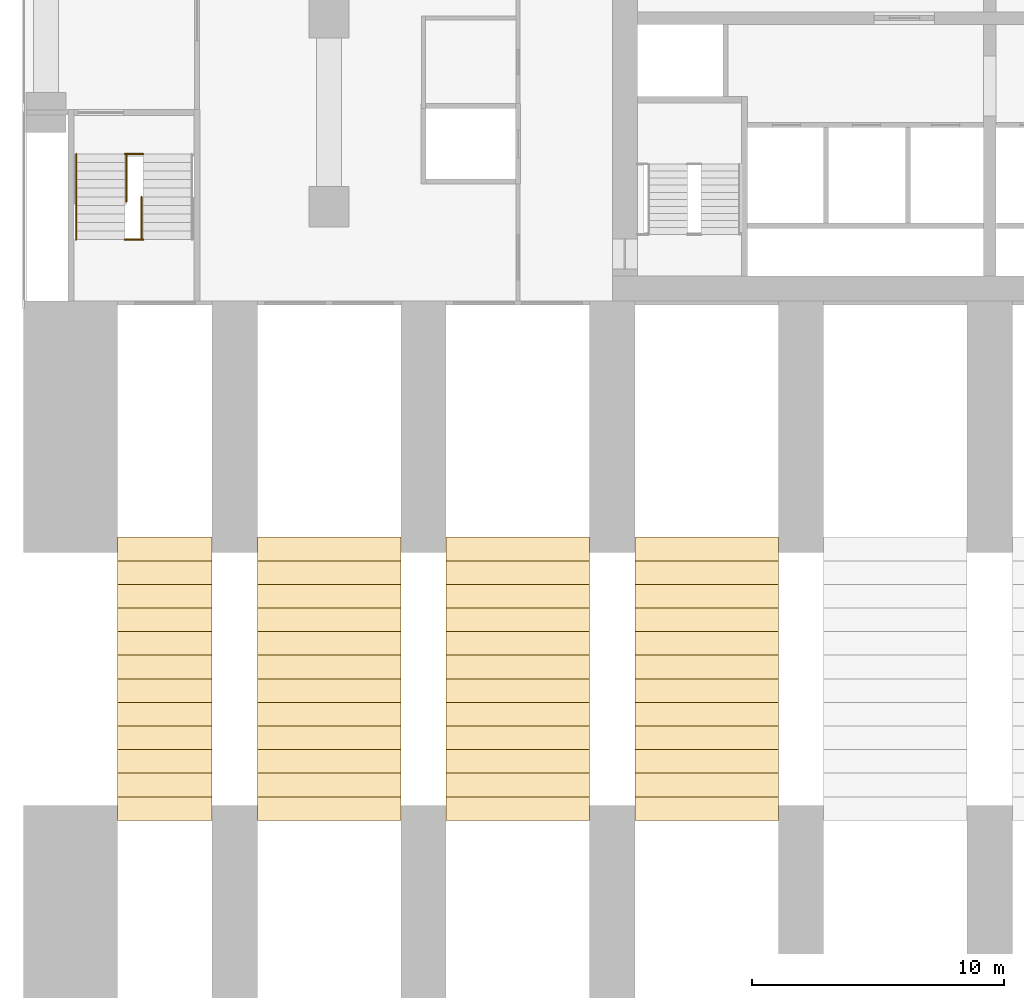
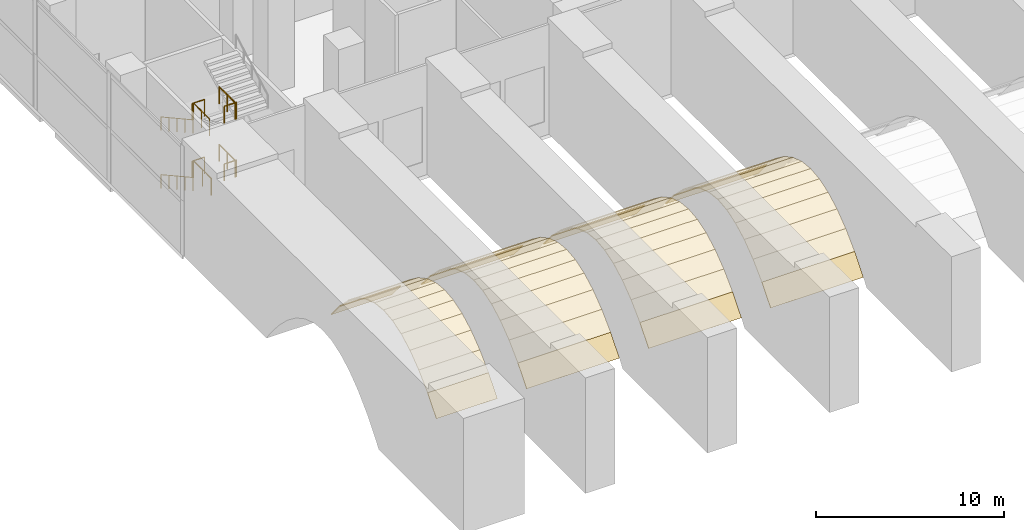
# One storey, part 11 of 15: 48 coverings, 10 railings.
"""IFC4 building model written with IfcOpenShell, lengths in metres."""

from ifc_helpers import new_model, si_unit, direction, frame, origin, origin_2d, place, context, subcontext, project, spatial, polyline, circle, outline, extrude, material, layer, layer_set, type_object, element, save


model = new_model("IFC4")

# Units and contexts
model_context = context("Model", 3, precision=1e-05, world=origin(), true_north=direction((0.0, 1.0)))
body_context = subcontext(model_context, "Body", "Model", "MODEL_VIEW")
ifc_project = project(units=[si_unit("LENGTHUNIT", "METRE"), si_unit("AREAUNIT", "SQUARE_METRE"), si_unit("VOLUMEUNIT", "CUBIC_METRE"), si_unit("PLANEANGLEUNIT", "RADIAN"), si_unit("MASSUNIT", "GRAM", prefix="KILO")], contexts=[model_context])

# Site, building, storey
site_placement = place(None, origin())
site = spatial("IfcSite", under=ifc_project, at=site_placement, CompositionType="ELEMENT")
building_placement = place(site_placement, origin())
building = spatial("IfcBuilding", under=site, at=building_placement, Name="Pilkhan Gate Tower", CompositionType="ELEMENT")
storey_placement = place(building_placement, frame((0.0, 0.0, 16.5)))
storey = spatial("IfcBuildingStorey", under=building, at=storey_placement, Name="L02", CompositionType="ELEMENT", Elevation=16.5)

# Coverings
ifc_material_1 = material(Name="Concrete C40/50 precast", Category="concrete")
ifc_layer = layer(ifc_material_1, 0.06005859375)
ifc_layer_set = layer_set([ifc_layer], Name="Arch soffit panel ARC")
covering_type = type_object("IfcCoveringType", Name="Arch soffit panel ARC", PredefinedType="CLADDING", material=ifc_layer_set)
covering_1_placement = place(storey_placement, frame((40.35009765625, 50.625, 0.487548828125), z_axis=(0.0, -0.766573876706, 0.642156127084), x_axis=(1.0, 0.0, 0.0)))
element("IfcCovering", 1, at=covering_1_placement, inside=storey, type_object=covering_type, Name="Arch soffit panel ARC-1.7", PredefinedType="CLADDING", context=body_context, shape_type="SweptSolid", body=[
    extrude(outline(polyline([(0.0, 0.0), (3.75, 0.0), (3.75, 1.4599253366269767), (0.0, 1.4599253366269767), (0.0, 0.0)])), origin(), (0.0, 0.0, -1.0), 0.06005859375),
])
covering_2_placement = place(storey_placement, frame((40.35009765625, 51.5625, 1.606689453125), z_axis=(0.0, -0.698672998985, 0.715441150961), x_axis=(1.0, 0.0, 0.0)))
element("IfcCovering", 2, at=covering_2_placement, inside=storey, type_object=covering_type, Name="Arch soffit panel ARC-1.8", PredefinedType="CLADDING", context=body_context, shape_type="SweptSolid", body=[
    extrude(outline(polyline([(0.0, 0.0), (3.75, 0.0), (3.75, 1.3103803139371144), (0.0, 1.3103803139371144), (0.0, 0.0)])), origin(), (0.0, 0.0, -1.0), 0.06005859375),
])
covering_3_placement = place(storey_placement, frame((40.35009765625, 52.5, 2.522216796875), z_axis=(0.0, -0.604899225984, 0.796302032149), x_axis=(1.0, 0.0, 0.0)))
element("IfcCovering", 3, at=covering_3_placement, inside=storey, type_object=covering_type, Name="Arch soffit panel ARC-1.9", PredefinedType="CLADDING", context=body_context, shape_type="SweptSolid", body=[
    extrude(outline(polyline([(0.0, 0.0), (3.75, 0.0), (3.75, 1.1773171009877623), (0.0, 1.1773171009877623), (0.0, 0.0)])), origin(), (0.0, 0.0, -1.0), 0.06005859375),
])
covering_4_placement = place(storey_placement, frame((40.35009765625, 53.4375, 3.234375), z_axis=(0.0, -0.476990839795, 0.878908265265), x_axis=(1.0, 0.0, 0.0)))
element("IfcCovering", 4, at=covering_4_placement, inside=storey, type_object=covering_type, Name="Arch soffit panel ARC-1.10", PredefinedType="CLADDING", context=body_context, shape_type="SweptSolid", body=[
    extrude(outline(polyline([(0.0, 0.0), (3.75, 0.0), (3.75, 1.0666642208866055), (0.0, 1.0666642208866055), (0.0, 0.0)])), origin(), (0.0, 0.0, -1.0), 0.06005859375),
])
covering_5_placement = place(storey_placement, frame((40.35009765625, 54.375, 3.7431640625), z_axis=(0.0, -0.309533978689, 0.950888382533), x_axis=(1.0, 0.0, 0.0)))
element("IfcCovering", 5, at=covering_5_placement, inside=storey, type_object=covering_type, Name="Arch soffit panel ARC-1.11", PredefinedType="CLADDING", context=body_context, shape_type="SweptSolid", body=[
    extrude(outline(polyline([(0.0, 0.0), (3.75, 0.0), (3.75, 0.9859201323948852), (0.0, 0.9859201323948852), (0.0, 0.0)])), origin(), (0.0, 0.0, -1.0), 0.06005859375),
])
for number, where, z_axis, x_axis, name in (
    (6, (40.35009765625, 55.3125, 4.04833984375), (0.0, -0.107703168683, 0.994183095539), (1.0, 0.0, 0.0), "Arch soffit panel ARC-1.12"),
    (7, (40.35009765625, 56.25, 4.14990234375), (0.0, 0.107703168683, 0.994183095539), (1.0, 0.0, 0.0), "Arch soffit panel ARC-1.13"),
):
    element("IfcCovering", number, at=place(storey_placement, frame(where, z_axis=z_axis, x_axis=x_axis)), inside=storey, type_object=covering_type, Name=name, PredefinedType="CLADDING", context=body_context, shape_type="SweptSolid", body=[
        extrude(outline(polyline([(0.0, 0.0), (3.75, 0.0), (3.75, 0.9429852551372423), (0.0, 0.9429852551372423), (0.0, 0.0)])), origin(), (0.0, 0.0, -1.0), 0.06005859375),
    ])
covering_6_placement = place(storey_placement, frame((40.35009765625, 57.1875, 4.04833984375), z_axis=(0.0, 0.309533978689, 0.950888382533), x_axis=(1.0, 0.0, 0.0)))
element("IfcCovering", 8, at=covering_6_placement, inside=storey, type_object=covering_type, Name="Arch soffit panel ARC-1.14", PredefinedType="CLADDING", context=body_context, shape_type="SweptSolid", body=[
    extrude(outline(polyline([(0.0, 0.0), (3.75, 0.0), (3.75, 0.9859201323948852), (0.0, 0.9859201323948852), (0.0, 0.0)])), origin(), (0.0, 0.0, -1.0), 0.06005859375),
])
covering_7_placement = place(storey_placement, frame((40.35009765625, 58.125, 3.7431640625), z_axis=(0.0, 0.476990839795, 0.878908265265), x_axis=(1.0, 0.0, 0.0)))
element("IfcCovering", 9, at=covering_7_placement, inside=storey, type_object=covering_type, Name="Arch soffit panel ARC-1.15", PredefinedType="CLADDING", context=body_context, shape_type="SweptSolid", body=[
    extrude(outline(polyline([(0.0, 0.0), (3.75, 0.0), (3.75, 1.0666642208866055), (0.0, 1.0666642208866055), (0.0, 0.0)])), origin(), (0.0, 0.0, -1.0), 0.06005859375),
])
covering_8_placement = place(storey_placement, frame((40.35009765625, 59.0625, 3.234375), z_axis=(0.0, 0.604899225984, 0.796302032149), x_axis=(1.0, 0.0, 0.0)))
element("IfcCovering", 10, at=covering_8_placement, inside=storey, type_object=covering_type, Name="Arch soffit panel ARC-1.16", PredefinedType="CLADDING", context=body_context, shape_type="SweptSolid", body=[
    extrude(outline(polyline([(0.0, 0.0), (3.75, 0.0), (3.75, 1.1773171009877623), (0.0, 1.1773171009877623), (0.0, 0.0)])), origin(), (0.0, 0.0, -1.0), 0.06005859375),
])
covering_9_placement = place(storey_placement, frame((40.35009765625, 60.0, 2.522216796875), z_axis=(0.0, 0.698672998985, 0.715441150961), x_axis=(1.0, 0.0, 0.0)))
element("IfcCovering", 11, at=covering_9_placement, inside=storey, type_object=covering_type, Name="Arch soffit panel ARC-1.17", PredefinedType="CLADDING", context=body_context, shape_type="SweptSolid", body=[
    extrude(outline(polyline([(0.0, 0.0), (3.75, 0.0), (3.75, 1.3103803139371144), (0.0, 1.3103803139371144), (0.0, 0.0)])), origin(), (0.0, 0.0, -1.0), 0.06005859375),
])
covering_10_placement = place(storey_placement, frame((40.35009765625, 60.9375, 1.606689453125), z_axis=(0.0, 0.766573876706, 0.642156127084), x_axis=(1.0, 0.0, 0.0)))
element("IfcCovering", 12, at=covering_10_placement, inside=storey, type_object=covering_type, Name="Arch soffit panel ARC-1.18", PredefinedType="CLADDING", context=body_context, shape_type="SweptSolid", body=[
    extrude(outline(polyline([(0.0, 0.0), (3.75, 0.0), (3.75, 1.4599253366269767), (0.0, 1.4599253366269767), (0.0, 0.0)])), origin(), (0.0, 0.0, -1.0), 0.06005859375),
])
covering_11_placement = place(storey_placement, frame((45.89990234375, 50.625, 0.487548828125), z_axis=(0.0, -0.766573876706, 0.642156127084), x_axis=(1.0, 0.0, 0.0)))
element("IfcCovering", 13, at=covering_11_placement, inside=storey, type_object=covering_type, Name="Arch soffit panel ARC-2.7", PredefinedType="CLADDING", context=body_context, shape_type="SweptSolid", body=[
    extrude(outline(polyline([(0.0, 0.0), (5.7001953125, 0.0), (5.7001953125, 1.4599253366269764), (0.0, 1.4599253366269764), (0.0, 0.0)])), origin(), (0.0, 0.0, -1.0), 0.06005859375),
])
covering_12_placement = place(storey_placement, frame((45.89990234375, 51.5625, 1.606689453125), z_axis=(0.0, -0.698672998985, 0.715441150961), x_axis=(1.0, 0.0, 0.0)))
element("IfcCovering", 14, at=covering_12_placement, inside=storey, type_object=covering_type, Name="Arch soffit panel ARC-2.8", PredefinedType="CLADDING", context=body_context, shape_type="SweptSolid", body=[
    extrude(outline(polyline([(0.0, 0.0), (5.7001953125, 0.0), (5.7001953125, 1.3103803139371146), (0.0, 1.3103803139371146), (0.0, 0.0)])), origin(), (0.0, 0.0, -1.0), 0.06005859375),
])
covering_13_placement = place(storey_placement, frame((45.89990234375, 52.5, 2.522216796875), z_axis=(0.0, -0.604899225984, 0.796302032149), x_axis=(1.0, 0.0, 0.0)))
element("IfcCovering", 15, at=covering_13_placement, inside=storey, type_object=covering_type, Name="Arch soffit panel ARC-2.9", PredefinedType="CLADDING", context=body_context, shape_type="SweptSolid", body=[
    extrude(outline(polyline([(0.0, 0.0), (5.7001953125, 0.0), (5.7001953125, 1.1773171009877623), (0.0, 1.1773171009877623), (0.0, 0.0)])), origin(), (0.0, 0.0, -1.0), 0.06005859375),
])
covering_14_placement = place(storey_placement, frame((45.89990234375, 53.4375, 3.234375), z_axis=(0.0, -0.476990839795, 0.878908265265), x_axis=(1.0, 0.0, 0.0)))
element("IfcCovering", 16, at=covering_14_placement, inside=storey, type_object=covering_type, Name="Arch soffit panel ARC-2.10", PredefinedType="CLADDING", context=body_context, shape_type="SweptSolid", body=[
    extrude(outline(polyline([(0.0, 0.0), (5.7001953125, 0.0), (5.7001953125, 1.0666642208866055), (0.0, 1.0666642208866055), (0.0, 0.0)])), origin(), (0.0, 0.0, -1.0), 0.06005859375),
])
covering_15_placement = place(storey_placement, frame((45.89990234375, 54.375, 3.7431640625), z_axis=(0.0, -0.309533978689, 0.950888382533), x_axis=(1.0, 0.0, 0.0)))
element("IfcCovering", 17, at=covering_15_placement, inside=storey, type_object=covering_type, Name="Arch soffit panel ARC-2.11", PredefinedType="CLADDING", context=body_context, shape_type="SweptSolid", body=[
    extrude(outline(polyline([(0.0, 0.0), (5.7001953125, 0.0), (5.7001953125, 0.9859201323948852), (0.0, 0.9859201323948852), (0.0, 0.0)])), origin(), (0.0, 0.0, -1.0), 0.06005859375),
])
for number, where, z_axis, x_axis, name in (
    (18, (45.89990234375, 55.3125, 4.04833984375), (0.0, -0.107703168683, 0.994183095539), (1.0, 0.0, 0.0), "Arch soffit panel ARC-2.12"),
    (19, (45.89990234375, 56.25, 4.14990234375), (0.0, 0.107703168683, 0.994183095539), (1.0, 0.0, 0.0), "Arch soffit panel ARC-2.13"),
):
    element("IfcCovering", number, at=place(storey_placement, frame(where, z_axis=z_axis, x_axis=x_axis)), inside=storey, type_object=covering_type, Name=name, PredefinedType="CLADDING", context=body_context, shape_type="SweptSolid", body=[
        extrude(outline(polyline([(0.0, 0.0), (5.7001953125, 0.0), (5.7001953125, 0.9429852551372424), (0.0, 0.9429852551372424), (0.0, 0.0)])), origin(), (0.0, 0.0, -1.0), 0.06005859375),
    ])
covering_16_placement = place(storey_placement, frame((45.89990234375, 57.1875, 4.04833984375), z_axis=(0.0, 0.309533978689, 0.950888382533), x_axis=(1.0, 0.0, 0.0)))
element("IfcCovering", 20, at=covering_16_placement, inside=storey, type_object=covering_type, Name="Arch soffit panel ARC-2.14", PredefinedType="CLADDING", context=body_context, shape_type="SweptSolid", body=[
    extrude(outline(polyline([(0.0, 0.0), (5.7001953125, 0.0), (5.7001953125, 0.9859201323948852), (0.0, 0.9859201323948852), (0.0, 0.0)])), origin(), (0.0, 0.0, -1.0), 0.06005859375),
])
covering_17_placement = place(storey_placement, frame((45.89990234375, 58.125, 3.7431640625), z_axis=(0.0, 0.476990839795, 0.878908265265), x_axis=(1.0, 0.0, 0.0)))
element("IfcCovering", 21, at=covering_17_placement, inside=storey, type_object=covering_type, Name="Arch soffit panel ARC-2.15", PredefinedType="CLADDING", context=body_context, shape_type="SweptSolid", body=[
    extrude(outline(polyline([(0.0, 0.0), (5.7001953125, 0.0), (5.7001953125, 1.0666642208866055), (0.0, 1.0666642208866055), (0.0, 0.0)])), origin(), (0.0, 0.0, -1.0), 0.06005859375),
])
covering_18_placement = place(storey_placement, frame((45.89990234375, 59.0625, 3.234375), z_axis=(0.0, 0.604899225984, 0.796302032149), x_axis=(1.0, 0.0, 0.0)))
element("IfcCovering", 22, at=covering_18_placement, inside=storey, type_object=covering_type, Name="Arch soffit panel ARC-2.16", PredefinedType="CLADDING", context=body_context, shape_type="SweptSolid", body=[
    extrude(outline(polyline([(0.0, 0.0), (5.7001953125, 0.0), (5.7001953125, 1.1773171009877623), (0.0, 1.1773171009877623), (0.0, 0.0)])), origin(), (0.0, 0.0, -1.0), 0.06005859375),
])
covering_19_placement = place(storey_placement, frame((45.89990234375, 60.0, 2.522216796875), z_axis=(0.0, 0.698672998985, 0.715441150961), x_axis=(1.0, 0.0, 0.0)))
element("IfcCovering", 23, at=covering_19_placement, inside=storey, type_object=covering_type, Name="Arch soffit panel ARC-2.17", PredefinedType="CLADDING", context=body_context, shape_type="SweptSolid", body=[
    extrude(outline(polyline([(0.0, 0.0), (5.7001953125, 0.0), (5.7001953125, 1.3103803139371146), (0.0, 1.3103803139371146), (0.0, 0.0)])), origin(), (0.0, 0.0, -1.0), 0.06005859375),
])
for number, where, z_axis, x_axis, name in (
    (24, (45.89990234375, 60.9375, 1.606689453125), (0.0, 0.766573876706, 0.642156127084), (1.0, 0.0, 0.0), "Arch soffit panel ARC-2.18"),
    (25, (53.39990234375, 50.625, 0.487548828125), (0.0, -0.766573876706, 0.642156127084), (1.0, 0.0, 0.0), "Arch soffit panel ARC-3.7"),
):
    element("IfcCovering", number, at=place(storey_placement, frame(where, z_axis=z_axis, x_axis=x_axis)), inside=storey, type_object=covering_type, Name=name, PredefinedType="CLADDING", context=body_context, shape_type="SweptSolid", body=[
        extrude(outline(polyline([(0.0, 0.0), (5.7001953125, 0.0), (5.7001953125, 1.4599253366269764), (0.0, 1.4599253366269764), (0.0, 0.0)])), origin(), (0.0, 0.0, -1.0), 0.06005859375),
    ])
covering_20_placement = place(storey_placement, frame((53.39990234375, 51.5625, 1.606689453125), z_axis=(0.0, -0.698672998985, 0.715441150961), x_axis=(1.0, 0.0, 0.0)))
element("IfcCovering", 26, at=covering_20_placement, inside=storey, type_object=covering_type, Name="Arch soffit panel ARC-3.8", PredefinedType="CLADDING", context=body_context, shape_type="SweptSolid", body=[
    extrude(outline(polyline([(0.0, 0.0), (5.7001953125, 0.0), (5.7001953125, 1.3103803139371146), (0.0, 1.3103803139371146), (0.0, 0.0)])), origin(), (0.0, 0.0, -1.0), 0.06005859375),
])
covering_21_placement = place(storey_placement, frame((53.39990234375, 52.5, 2.522216796875), z_axis=(0.0, -0.604899225984, 0.796302032149), x_axis=(1.0, 0.0, 0.0)))
element("IfcCovering", 27, at=covering_21_placement, inside=storey, type_object=covering_type, Name="Arch soffit panel ARC-3.9", PredefinedType="CLADDING", context=body_context, shape_type="SweptSolid", body=[
    extrude(outline(polyline([(0.0, 0.0), (5.7001953125, 0.0), (5.7001953125, 1.1773171009877623), (0.0, 1.1773171009877623), (0.0, 0.0)])), origin(), (0.0, 0.0, -1.0), 0.06005859375),
])
covering_22_placement = place(storey_placement, frame((53.39990234375, 53.4375, 3.234375), z_axis=(0.0, -0.476990839795, 0.878908265265), x_axis=(1.0, 0.0, 0.0)))
element("IfcCovering", 28, at=covering_22_placement, inside=storey, type_object=covering_type, Name="Arch soffit panel ARC-3.10", PredefinedType="CLADDING", context=body_context, shape_type="SweptSolid", body=[
    extrude(outline(polyline([(0.0, 0.0), (5.7001953125, 0.0), (5.7001953125, 1.0666642208866055), (0.0, 1.0666642208866055), (0.0, 0.0)])), origin(), (0.0, 0.0, -1.0), 0.06005859375),
])
covering_23_placement = place(storey_placement, frame((53.39990234375, 54.375, 3.7431640625), z_axis=(0.0, -0.309533978689, 0.950888382533), x_axis=(1.0, 0.0, 0.0)))
element("IfcCovering", 29, at=covering_23_placement, inside=storey, type_object=covering_type, Name="Arch soffit panel ARC-3.11", PredefinedType="CLADDING", context=body_context, shape_type="SweptSolid", body=[
    extrude(outline(polyline([(0.0, 0.0), (5.7001953125, 0.0), (5.7001953125, 0.9859201323948852), (0.0, 0.9859201323948852), (0.0, 0.0)])), origin(), (0.0, 0.0, -1.0), 0.06005859375),
])
for number, where, z_axis, x_axis, name in (
    (30, (53.39990234375, 55.3125, 4.04833984375), (0.0, -0.107703168683, 0.994183095539), (1.0, 0.0, 0.0), "Arch soffit panel ARC-3.12"),
    (31, (53.39990234375, 56.25, 4.14990234375), (0.0, 0.107703168683, 0.994183095539), (1.0, 0.0, 0.0), "Arch soffit panel ARC-3.13"),
):
    element("IfcCovering", number, at=place(storey_placement, frame(where, z_axis=z_axis, x_axis=x_axis)), inside=storey, type_object=covering_type, Name=name, PredefinedType="CLADDING", context=body_context, shape_type="SweptSolid", body=[
        extrude(outline(polyline([(0.0, 0.0), (5.7001953125, 0.0), (5.7001953125, 0.9429852551372424), (0.0, 0.9429852551372424), (0.0, 0.0)])), origin(), (0.0, 0.0, -1.0), 0.06005859375),
    ])
covering_24_placement = place(storey_placement, frame((53.39990234375, 57.1875, 4.04833984375), z_axis=(0.0, 0.309533978689, 0.950888382533), x_axis=(1.0, 0.0, 0.0)))
element("IfcCovering", 32, at=covering_24_placement, inside=storey, type_object=covering_type, Name="Arch soffit panel ARC-3.14", PredefinedType="CLADDING", context=body_context, shape_type="SweptSolid", body=[
    extrude(outline(polyline([(0.0, 0.0), (5.7001953125, 0.0), (5.7001953125, 0.9859201323948852), (0.0, 0.9859201323948852), (0.0, 0.0)])), origin(), (0.0, 0.0, -1.0), 0.06005859375),
])
covering_25_placement = place(storey_placement, frame((53.39990234375, 58.125, 3.7431640625), z_axis=(0.0, 0.476990839795, 0.878908265265), x_axis=(1.0, 0.0, 0.0)))
element("IfcCovering", 33, at=covering_25_placement, inside=storey, type_object=covering_type, Name="Arch soffit panel ARC-3.15", PredefinedType="CLADDING", context=body_context, shape_type="SweptSolid", body=[
    extrude(outline(polyline([(0.0, 0.0), (5.7001953125, 0.0), (5.7001953125, 1.0666642208866055), (0.0, 1.0666642208866055), (0.0, 0.0)])), origin(), (0.0, 0.0, -1.0), 0.06005859375),
])
covering_26_placement = place(storey_placement, frame((53.39990234375, 59.0625, 3.234375), z_axis=(0.0, 0.604899225984, 0.796302032149), x_axis=(1.0, 0.0, 0.0)))
element("IfcCovering", 34, at=covering_26_placement, inside=storey, type_object=covering_type, Name="Arch soffit panel ARC-3.16", PredefinedType="CLADDING", context=body_context, shape_type="SweptSolid", body=[
    extrude(outline(polyline([(0.0, 0.0), (5.7001953125, 0.0), (5.7001953125, 1.1773171009877623), (0.0, 1.1773171009877623), (0.0, 0.0)])), origin(), (0.0, 0.0, -1.0), 0.06005859375),
])
covering_27_placement = place(storey_placement, frame((53.39990234375, 60.0, 2.522216796875), z_axis=(0.0, 0.698672998985, 0.715441150961), x_axis=(1.0, 0.0, 0.0)))
element("IfcCovering", 35, at=covering_27_placement, inside=storey, type_object=covering_type, Name="Arch soffit panel ARC-3.17", PredefinedType="CLADDING", context=body_context, shape_type="SweptSolid", body=[
    extrude(outline(polyline([(0.0, 0.0), (5.7001953125, 0.0), (5.7001953125, 1.3103803139371146), (0.0, 1.3103803139371146), (0.0, 0.0)])), origin(), (0.0, 0.0, -1.0), 0.06005859375),
])
for number, where, z_axis, x_axis, name in (
    (36, (53.39990234375, 60.9375, 1.606689453125), (0.0, 0.766573876706, 0.642156127084), (1.0, 0.0, 0.0), "Arch soffit panel ARC-3.18"),
    (37, (60.89990234375, 50.625, 0.487548828125), (0.0, -0.766573876706, 0.642156127084), (1.0, 0.0, 0.0), "Arch soffit panel ARC-4.7"),
):
    element("IfcCovering", number, at=place(storey_placement, frame(where, z_axis=z_axis, x_axis=x_axis)), inside=storey, type_object=covering_type, Name=name, PredefinedType="CLADDING", context=body_context, shape_type="SweptSolid", body=[
        extrude(outline(polyline([(0.0, 0.0), (5.7001953125, 0.0), (5.7001953125, 1.4599253366269764), (0.0, 1.4599253366269764), (0.0, 0.0)])), origin(), (0.0, 0.0, -1.0), 0.06005859375),
    ])
covering_28_placement = place(storey_placement, frame((60.89990234375, 51.5625, 1.606689453125), z_axis=(0.0, -0.698672998985, 0.715441150961), x_axis=(1.0, 0.0, 0.0)))
element("IfcCovering", 38, at=covering_28_placement, inside=storey, type_object=covering_type, Name="Arch soffit panel ARC-4.8", PredefinedType="CLADDING", context=body_context, shape_type="SweptSolid", body=[
    extrude(outline(polyline([(0.0, 0.0), (5.7001953125, 0.0), (5.7001953125, 1.3103803139371146), (0.0, 1.3103803139371146), (0.0, 0.0)])), origin(), (0.0, 0.0, -1.0), 0.06005859375),
])
covering_29_placement = place(storey_placement, frame((60.89990234375, 52.5, 2.522216796875), z_axis=(0.0, -0.604899225984, 0.796302032149), x_axis=(1.0, 0.0, 0.0)))
element("IfcCovering", 39, at=covering_29_placement, inside=storey, type_object=covering_type, Name="Arch soffit panel ARC-4.9", PredefinedType="CLADDING", context=body_context, shape_type="SweptSolid", body=[
    extrude(outline(polyline([(0.0, 0.0), (5.7001953125, 0.0), (5.7001953125, 1.1773171009877623), (0.0, 1.1773171009877623), (0.0, 0.0)])), origin(), (0.0, 0.0, -1.0), 0.06005859375),
])
covering_30_placement = place(storey_placement, frame((60.89990234375, 53.4375, 3.234375), z_axis=(0.0, -0.476990839795, 0.878908265265), x_axis=(1.0, 0.0, 0.0)))
element("IfcCovering", 40, at=covering_30_placement, inside=storey, type_object=covering_type, Name="Arch soffit panel ARC-4.10", PredefinedType="CLADDING", context=body_context, shape_type="SweptSolid", body=[
    extrude(outline(polyline([(0.0, 0.0), (5.7001953125, 0.0), (5.7001953125, 1.0666642208866055), (0.0, 1.0666642208866055), (0.0, 0.0)])), origin(), (0.0, 0.0, -1.0), 0.06005859375),
])
covering_31_placement = place(storey_placement, frame((60.89990234375, 54.375, 3.7431640625), z_axis=(0.0, -0.309533978689, 0.950888382533), x_axis=(1.0, 0.0, 0.0)))
element("IfcCovering", 41, at=covering_31_placement, inside=storey, type_object=covering_type, Name="Arch soffit panel ARC-4.11", PredefinedType="CLADDING", context=body_context, shape_type="SweptSolid", body=[
    extrude(outline(polyline([(0.0, 0.0), (5.7001953125, 0.0), (5.7001953125, 0.9859201323948852), (0.0, 0.9859201323948852), (0.0, 0.0)])), origin(), (0.0, 0.0, -1.0), 0.06005859375),
])
for number, where, z_axis, x_axis, name in (
    (42, (60.89990234375, 55.3125, 4.04833984375), (0.0, -0.107703168683, 0.994183095539), (1.0, 0.0, 0.0), "Arch soffit panel ARC-4.12"),
    (43, (60.89990234375, 56.25, 4.14990234375), (0.0, 0.107703168683, 0.994183095539), (1.0, 0.0, 0.0), "Arch soffit panel ARC-4.13"),
):
    element("IfcCovering", number, at=place(storey_placement, frame(where, z_axis=z_axis, x_axis=x_axis)), inside=storey, type_object=covering_type, Name=name, PredefinedType="CLADDING", context=body_context, shape_type="SweptSolid", body=[
        extrude(outline(polyline([(0.0, 0.0), (5.7001953125, 0.0), (5.7001953125, 0.9429852551372424), (0.0, 0.9429852551372424), (0.0, 0.0)])), origin(), (0.0, 0.0, -1.0), 0.06005859375),
    ])
covering_32_placement = place(storey_placement, frame((60.89990234375, 57.1875, 4.04833984375), z_axis=(0.0, 0.309533978689, 0.950888382533), x_axis=(1.0, 0.0, 0.0)))
element("IfcCovering", 44, at=covering_32_placement, inside=storey, type_object=covering_type, Name="Arch soffit panel ARC-4.14", PredefinedType="CLADDING", context=body_context, shape_type="SweptSolid", body=[
    extrude(outline(polyline([(0.0, 0.0), (5.7001953125, 0.0), (5.7001953125, 0.9859201323948852), (0.0, 0.9859201323948852), (0.0, 0.0)])), origin(), (0.0, 0.0, -1.0), 0.06005859375),
])
covering_33_placement = place(storey_placement, frame((60.89990234375, 58.125, 3.7431640625), z_axis=(0.0, 0.476990839795, 0.878908265265), x_axis=(1.0, 0.0, 0.0)))
element("IfcCovering", 45, at=covering_33_placement, inside=storey, type_object=covering_type, Name="Arch soffit panel ARC-4.15", PredefinedType="CLADDING", context=body_context, shape_type="SweptSolid", body=[
    extrude(outline(polyline([(0.0, 0.0), (5.7001953125, 0.0), (5.7001953125, 1.0666642208866055), (0.0, 1.0666642208866055), (0.0, 0.0)])), origin(), (0.0, 0.0, -1.0), 0.06005859375),
])
covering_34_placement = place(storey_placement, frame((60.89990234375, 59.0625, 3.234375), z_axis=(0.0, 0.604899225984, 0.796302032149), x_axis=(1.0, 0.0, 0.0)))
element("IfcCovering", 46, at=covering_34_placement, inside=storey, type_object=covering_type, Name="Arch soffit panel ARC-4.16", PredefinedType="CLADDING", context=body_context, shape_type="SweptSolid", body=[
    extrude(outline(polyline([(0.0, 0.0), (5.7001953125, 0.0), (5.7001953125, 1.1773171009877623), (0.0, 1.1773171009877623), (0.0, 0.0)])), origin(), (0.0, 0.0, -1.0), 0.06005859375),
])
covering_35_placement = place(storey_placement, frame((60.89990234375, 60.0, 2.522216796875), z_axis=(0.0, 0.698672998985, 0.715441150961), x_axis=(1.0, 0.0, 0.0)))
element("IfcCovering", 47, at=covering_35_placement, inside=storey, type_object=covering_type, Name="Arch soffit panel ARC-4.17", PredefinedType="CLADDING", context=body_context, shape_type="SweptSolid", body=[
    extrude(outline(polyline([(0.0, 0.0), (5.7001953125, 0.0), (5.7001953125, 1.3103803139371146), (0.0, 1.3103803139371146), (0.0, 0.0)])), origin(), (0.0, 0.0, -1.0), 0.06005859375),
])
covering_36_placement = place(storey_placement, frame((60.89990234375, 60.9375, 1.606689453125), z_axis=(0.0, 0.766573876706, 0.642156127084), x_axis=(1.0, 0.0, 0.0)))
element("IfcCovering", 48, at=covering_36_placement, inside=storey, type_object=covering_type, Name="Arch soffit panel ARC-4.18", PredefinedType="CLADDING", context=body_context, shape_type="SweptSolid", body=[
    extrude(outline(polyline([(0.0, 0.0), (5.7001953125, 0.0), (5.7001953125, 1.4599253366269764), (0.0, 1.4599253366269764), (0.0, 0.0)])), origin(), (0.0, 0.0, -1.0), 0.06005859375),
])

# Railings
ifc_material_2 = material(Name="Black powder-coated steel tube", Category="steel")
railing_type_1 = type_object("IfcRailingType", Name="Stair handrail HR1", PredefinedType="HANDRAIL", material=ifc_material_2)
for number, where, name in (
    (49, (38.699951171875, 77.10009765625, 0.0), "Stair PS3 handrail L02"),
    (50, (38.699951171875, 77.10009765625, 3.75), "Stair PS3 handrail L02"),
):
    element("IfcRailing", number, at=place(storey_placement, frame(where)), inside=storey, type_object=railing_type_1, Name=name, PredefinedType="HANDRAIL", context=body_context, shape_type="SweptSolid", body=[
        extrude(circle(Radius=0.02392578125, at=origin_2d()), frame((0.0, 0.0, 0.8759765625), z_axis=(0.0, -0.875680375818, 0.482891167249), x_axis=(1.0, 0.0, 0.0)), (0.0, 0.0, 1.0), 3.8828125),
        extrude(circle(Radius=0.02099609375, at=origin_2d()), origin(), (0.0, 0.0, 1.0), 0.851806640625),
        extrude(circle(Radius=0.02099609375, at=origin_2d()), frame((0.0, -0.85009765625, 0.46875)), (0.0, 0.0, 1.0), 0.851806640625),
        extrude(circle(Radius=0.02099609375, at=origin_2d()), frame((0.0, -1.7001953125, 0.9375)), (0.0, 0.0, 1.0), 0.851806640625),
        extrude(circle(Radius=0.02099609375, at=origin_2d()), frame((0.0, -2.550048828125, 1.40625)), (0.0, 0.0, 1.0), 0.851806640625),
        extrude(circle(Radius=0.02099609375, at=origin_2d()), frame((0.0, -3.400146484375, 1.875)), (0.0, 0.0, 1.0), 0.851806640625),
    ])
ifc_material_3 = material(Name="Black powder-coated steel balusters", Category="steel")
railing_type_2 = type_object("IfcRailingType", Name="Stair well guard G3", PredefinedType="GUARDRAIL", material=ifc_material_3)
railing_1_placement = place(storey_placement, frame((40.6298828125, 77.10009765625, 0.0)))
element("IfcRailing", 51, at=railing_1_placement, inside=storey, type_object=railing_type_2, Name="Stair PS3 well guard L02", PredefinedType="GUARDRAIL", context=body_context, shape_type="SweptSolid", body=[
    extrude(circle(Radius=0.02392578125, at=origin_2d()), frame((0.0, 0.0, 1.076171875), z_axis=(1.0, 0.0, 0.0), x_axis=(0.0, 1.0, 0.0)), (0.0, 0.0, 1.0), 0.740234375),
    extrude(circle(Radius=0.02099609375, at=origin_2d()), origin(), (0.0, 0.0, 1.0), 1.052001953125),
    extrude(circle(Radius=0.02099609375, at=origin_2d()), frame((0.740234375, 0.0, 0.0)), (0.0, 0.0, 1.0), 1.052001953125),
])
railing_2_placement = place(storey_placement, frame((40.699951171875, 77.10009765625, 0.0)))
element("IfcRailing", 52, at=railing_2_placement, inside=storey, type_object=railing_type_2, Name="Stair PS3 well guard L02", PredefinedType="GUARDRAIL", context=body_context, shape_type="SweptSolid", body=[
    extrude(circle(Radius=0.02392578125, at=origin_2d()), frame((0.0, 0.0, 1.076171875), z_axis=(0.0, -1.0, 0.0), x_axis=(1.0, 0.0, 0.0)), (0.0, 0.0, 1.0), 1.900146484375),
    extrude(circle(Radius=0.02099609375, at=origin_2d()), origin(), (0.0, 0.0, 1.0), 1.052001953125),
    extrude(circle(Radius=0.02099609375, at=origin_2d()), frame((0.0, -0.9501953125, 0.0)), (0.0, 0.0, 1.0), 1.052001953125),
    extrude(circle(Radius=0.02099609375, at=origin_2d()), frame((0.0, -1.900146484375, 0.0)), (0.0, 0.0, 1.0), 1.052001953125),
])
railing_3_placement = place(storey_placement, frame((40.6298828125, 73.699951171875, 1.875)))
element("IfcRailing", 53, at=railing_3_placement, inside=storey, type_object=railing_type_2, Name="Stair PS3 well guard L02", PredefinedType="GUARDRAIL", context=body_context, shape_type="SweptSolid", body=[
    extrude(circle(Radius=0.02392578125, at=origin_2d()), frame((0.0, 0.0, 1.076171875), z_axis=(1.0, 0.0, 0.0), x_axis=(0.0, 1.0, 0.0)), (0.0, 0.0, 1.0), 0.740234375),
    extrude(circle(Radius=0.02099609375, at=origin_2d()), origin(), (0.0, 0.0, 1.0), 1.052001953125),
    extrude(circle(Radius=0.02099609375, at=origin_2d()), frame((0.740234375, 0.0, 0.0)), (0.0, 0.0, 1.0), 1.052001953125),
])
railing_4_placement = place(storey_placement, frame((41.300048828125, 75.39990234375, 1.875)))
element("IfcRailing", 54, at=railing_4_placement, inside=storey, type_object=railing_type_2, Name="Stair PS3 well guard L02", PredefinedType="GUARDRAIL", context=body_context, shape_type="SweptSolid", body=[
    extrude(circle(Radius=0.02392578125, at=origin_2d()), frame((0.0, 0.0, 1.076171875), z_axis=(0.0, -1.0, 0.0), x_axis=(1.0, 0.0, 0.0)), (0.0, 0.0, 1.0), 1.699951171875),
    extrude(circle(Radius=0.02099609375, at=origin_2d()), origin(), (0.0, 0.0, 1.0), 1.052001953125),
    extrude(circle(Radius=0.02099609375, at=origin_2d()), frame((0.0, -0.85009765625, 0.0)), (0.0, 0.0, 1.0), 1.052001953125),
    extrude(circle(Radius=0.02099609375, at=origin_2d()), frame((0.0, -1.699951171875, 0.0)), (0.0, 0.0, 1.0), 1.052001953125),
])
railing_5_placement = place(storey_placement, frame((40.6298828125, 77.10009765625, 3.75)))
element("IfcRailing", 55, at=railing_5_placement, inside=storey, type_object=railing_type_2, Name="Stair PS3 well guard L02", PredefinedType="GUARDRAIL", context=body_context, shape_type="SweptSolid", body=[
    extrude(circle(Radius=0.02392578125, at=origin_2d()), frame((0.0, 0.0, 1.076171875), z_axis=(1.0, 0.0, 0.0), x_axis=(0.0, 1.0, 0.0)), (0.0, 0.0, 1.0), 0.740234375),
    extrude(circle(Radius=0.02099609375, at=origin_2d()), origin(), (0.0, 0.0, 1.0), 1.052001953125),
    extrude(circle(Radius=0.02099609375, at=origin_2d()), frame((0.740234375, 0.0, 0.0)), (0.0, 0.0, 1.0), 1.052001953125),
])
railing_6_placement = place(storey_placement, frame((40.699951171875, 77.10009765625, 3.75)))
element("IfcRailing", 56, at=railing_6_placement, inside=storey, type_object=railing_type_2, Name="Stair PS3 well guard L02", PredefinedType="GUARDRAIL", context=body_context, shape_type="SweptSolid", body=[
    extrude(circle(Radius=0.02392578125, at=origin_2d()), frame((0.0, 0.0, 1.076171875), z_axis=(0.0, -1.0, 0.0), x_axis=(1.0, 0.0, 0.0)), (0.0, 0.0, 1.0), 1.7001953125),
    extrude(circle(Radius=0.02099609375, at=origin_2d()), origin(), (0.0, 0.0, 1.0), 1.052001953125),
    extrude(circle(Radius=0.02099609375, at=origin_2d()), frame((0.0, -0.85009765625, 0.0)), (0.0, 0.0, 1.0), 1.052001953125),
    extrude(circle(Radius=0.02099609375, at=origin_2d()), frame((0.0, -1.7001953125, 0.0)), (0.0, 0.0, 1.0), 1.052001953125),
])
railing_7_placement = place(storey_placement, frame((40.6298828125, 73.699951171875, 5.625)))
element("IfcRailing", 57, at=railing_7_placement, inside=storey, type_object=railing_type_2, Name="Stair PS3 well guard L02", PredefinedType="GUARDRAIL", context=body_context, shape_type="SweptSolid", body=[
    extrude(circle(Radius=0.02392578125, at=origin_2d()), frame((0.0, 0.0, 1.076171875), z_axis=(1.0, 0.0, 0.0), x_axis=(0.0, 1.0, 0.0)), (0.0, 0.0, 1.0), 0.740234375),
    extrude(circle(Radius=0.02099609375, at=origin_2d()), origin(), (0.0, 0.0, 1.0), 1.052001953125),
    extrude(circle(Radius=0.02099609375, at=origin_2d()), frame((0.740234375, 0.0, 0.0)), (0.0, 0.0, 1.0), 1.052001953125),
])
railing_8_placement = place(storey_placement, frame((41.300048828125, 75.39990234375, 5.625)))
element("IfcRailing", 58, at=railing_8_placement, inside=storey, type_object=railing_type_2, Name="Stair PS3 well guard L02", PredefinedType="GUARDRAIL", context=body_context, shape_type="SweptSolid", body=[
    extrude(circle(Radius=0.02392578125, at=origin_2d()), frame((0.0, 0.0, 1.076171875), z_axis=(0.0, -1.0, 0.0), x_axis=(1.0, 0.0, 0.0)), (0.0, 0.0, 1.0), 1.699951171875),
    extrude(circle(Radius=0.02099609375, at=origin_2d()), origin(), (0.0, 0.0, 1.0), 1.052001953125),
    extrude(circle(Radius=0.02099609375, at=origin_2d()), frame((0.0, -0.85009765625, 0.0)), (0.0, 0.0, 1.0), 1.052001953125),
    extrude(circle(Radius=0.02099609375, at=origin_2d()), frame((0.0, -1.699951171875, 0.0)), (0.0, 0.0, 1.0), 1.052001953125),
])

save(model, "model.ifc")
